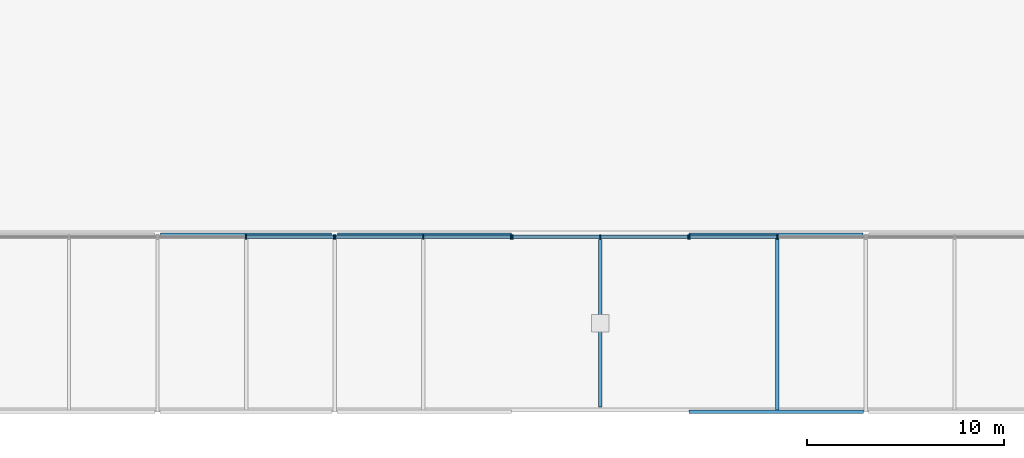
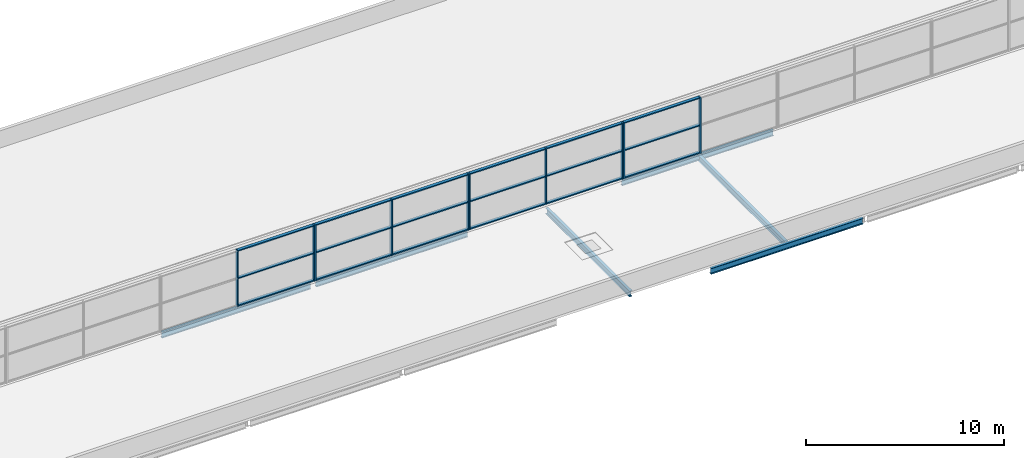
# One storey, part 9 of 50: 28 members, 6 beams, 4 elements without a shape of their own.
"""IFC4 building model written with IfcOpenShell, lengths in metres."""

from ifc_helpers import new_model, si_unit, direction, frame, origin, origin_2d, place, context, subcontext, project, spatial, rectangle, i_section, extrude, material, layer, layer_set, material_profile, profile_set, type_object, element, aggregate, save


model = new_model("IFC4")

# Units and contexts
model_context = context("Model", 3, precision=1e-05, world=origin(), true_north=direction((0.0, 1.0)))
body_context = subcontext(model_context, "Body", "Model", "MODEL_VIEW")
ifc_project = project(units=[si_unit("LENGTHUNIT", "METRE"), si_unit("AREAUNIT", "SQUARE_METRE"), si_unit("VOLUMEUNIT", "CUBIC_METRE"), si_unit("PLANEANGLEUNIT", "RADIAN"), si_unit("MASSUNIT", "GRAM", prefix="KILO")], contexts=[model_context])

# Site, building, storey
site_placement = place(None, origin())
site = spatial("IfcSite", under=ifc_project, at=site_placement, CompositionType="ELEMENT")
building_placement = place(site_placement, origin())
building = spatial("IfcBuilding", under=site, at=building_placement, Name="Corbel Yard City Hall", CompositionType="ELEMENT")
storey_placement = place(building_placement, frame((0.0, 0.0, 15.0)))
storey = spatial("IfcBuildingStorey", under=building, at=storey_placement, Name="L03", CompositionType="ELEMENT", Elevation=15.0)

# Beams
ifc_material_1 = material(Name="Steel Grade 300 (300 MPa yield)", Category="steel")
ifc_material_profile_1 = material_profile(ifc_material_1, i_section(OverallWidth=0.172119140625, OverallDepth=0.35888671875, WebThickness=0.008056640625, FlangeThickness=0.012939453125, at=origin_2d()), Name="360UB56.7")
ifc_profile_set_1 = profile_set([ifc_material_profile_1], Name="Steel Grade 300 (300 MPa yield)")
beam_type_1 = type_object("IfcBeamType", Name="Edge beam 360UB56.7", PredefinedType="BEAM", material=ifc_profile_set_1)
beam_1_placement = place(storey_placement, frame((90.0, 0.0, -0.32958984375), z_axis=(1.0, 0.0, 0.0), x_axis=(0.0, 1.0, 0.0)))
element("IfcBeam", 1, at=beam_1_placement, inside=storey, type_object=beam_type_1, Name="Edge beam 360UB56.7 EB4 L03roof", PredefinedType="BEAM", context=body_context, shape_type="SweptSolid", body=[
    extrude(i_section(OverallWidth=0.172119140625, OverallDepth=0.35888671875, WebThickness=0.008056640625, FlangeThickness=0.012939453125, at=origin_2d()), origin(), (0.0, 0.0, 1.0), 8.873046875),
])
beam_2_placement = place(storey_placement, frame((63.154052734375, 9.0, -0.32958984375), z_axis=(1.0, 0.0, 0.0), x_axis=(0.0, 1.0, 0.0)))
element("IfcBeam", 2, at=beam_2_placement, inside=storey, type_object=beam_type_1, Name="Edge beam 360UB56.7 EB4 L03roof", PredefinedType="BEAM", context=body_context, shape_type="SweptSolid", body=[
    extrude(i_section(OverallWidth=0.172119140625, OverallDepth=0.35888671875, WebThickness=0.008056640625, FlangeThickness=0.012939453125, at=origin_2d()), origin(), (0.0, 0.0, 1.0), 8.69189453125),
])
for number, where, z_axis, x_axis, name in (
    (3, (72.154052734375, 9.0, -0.32958984375), (1.0, 0.0, 0.0), (0.0, 1.0, 0.0), "Edge beam 360UB56.7 EB4 L03roof"),
    (4, (90.0, 9.0, -0.32958984375), (1.0, 0.0, 0.0), (0.0, 1.0, 0.0), "Edge beam 360UB56.7 EB4 L03roof"),
):
    element("IfcBeam", number, at=place(storey_placement, frame(where, z_axis=z_axis, x_axis=x_axis)), inside=storey, type_object=beam_type_1, Name=name, PredefinedType="BEAM", context=body_context, shape_type="SweptSolid", body=[
        extrude(i_section(OverallWidth=0.172119140625, OverallDepth=0.35888671875, WebThickness=0.008056640625, FlangeThickness=0.012939453125, at=origin_2d()), origin(), (0.0, 0.0, 1.0), 8.845947265625),
    ])

# Curtain wall, members
ifc_material_2 = material(Name="Aluminium extrusion", Category="aluminium")
ifc_layer = layer(ifc_material_2, 0.219970703125)
ifc_layer_set = layer_set([ifc_layer], Name="Aluminium extrusion")
curtain_wall_type = type_object("IfcCurtainWallType", Name="CW5", PredefinedType="USERDEFINED", material=ifc_layer_set)
curtain_wall_1_placement = place(storey_placement, origin())
curtain_wall_1 = element("IfcCurtainWall", 5, at=curtain_wall_1_placement, inside=storey, type_object=curtain_wall_type, Name="Hall south clerestory curtain wall", ObjectType="CURTAIN WALL", PredefinedType="USERDEFINED")
ifc_material_profile_2 = material_profile(ifc_material_2, rectangle(XDim=0.219970703125, YDim=0.06494140625, at=origin_2d()), Name="220x65")
ifc_profile_set_2 = profile_set([ifc_material_profile_2], Name="Aluminium extrusion")
member_type_1 = type_object("IfcMemberType", Name="ML5", PredefinedType="MULLION", material=ifc_profile_set_2)
member_1_placement = place(storey_placement, frame((67.5, 8.889892578125, 0.0), z_axis=(0.0, 0.0, 1.0), x_axis=(0.0, 1.0, 0.0)))
member_1 = element("IfcMember", 6, at=member_1_placement, type_object=member_type_1, Name="CW5 mullion 2", PredefinedType="MULLION", context=body_context, shape_type="SweptSolid", body=[
    extrude(rectangle(XDim=0.219970703125, YDim=0.06494140625, at=origin_2d()), origin(), (0.0, 0.0, 1.0), 3.449951171875),
])
member_2_placement = place(storey_placement, frame((71.967529296875, 8.889892578125, 0.0), z_axis=(0.0, 0.0, 1.0), x_axis=(0.0, 1.0, 0.0)))
member_2 = element("IfcMember", 7, at=member_2_placement, type_object=member_type_1, Name="CW5 mullion 3", PredefinedType="MULLION", context=body_context, shape_type="SweptSolid", body=[
    extrude(rectangle(XDim=0.219970703125, YDim=0.06494140625, at=origin_2d()), origin(), (0.0, 0.0, 1.0), 3.449951171875),
])

curtain_wall_2_placement = place(storey_placement, origin())
curtain_wall_2 = element("IfcCurtainWall", 8, at=curtain_wall_2_placement, inside=storey, type_object=curtain_wall_type, Name="Hall south clerestory curtain wall", ObjectType="CURTAIN WALL", PredefinedType="USERDEFINED")
member_3_placement = place(storey_placement, frame((72.032470703125, 8.889892578125, 0.0), z_axis=(0.0, 0.0, 1.0), x_axis=(0.0, 1.0, 0.0)))
member_3 = element("IfcMember", 9, at=member_3_placement, type_object=member_type_1, Name="CW5 mullion 1", PredefinedType="MULLION", context=body_context, shape_type="SweptSolid", body=[
    extrude(rectangle(XDim=0.219970703125, YDim=0.06494140625, at=origin_2d()), origin(), (0.0, 0.0, 1.0), 3.449951171875),
])
member_4_placement = place(storey_placement, frame((76.5, 8.889892578125, 0.0), z_axis=(0.0, 0.0, 1.0), x_axis=(0.0, 1.0, 0.0)))
member_4 = element("IfcMember", 10, at=member_4_placement, type_object=member_type_1, Name="CW5 mullion 2", PredefinedType="MULLION", context=body_context, shape_type="SweptSolid", body=[
    extrude(rectangle(XDim=0.219970703125, YDim=0.06494140625, at=origin_2d()), origin(), (0.0, 0.0, 1.0), 3.449951171875),
])
member_5_placement = place(storey_placement, frame((80.967529296875, 8.889892578125, 0.0), z_axis=(0.0, 0.0, 1.0), x_axis=(0.0, 1.0, 0.0)))
member_5 = element("IfcMember", 11, at=member_5_placement, type_object=member_type_1, Name="CW5 mullion 3", PredefinedType="MULLION", context=body_context, shape_type="SweptSolid", body=[
    extrude(rectangle(XDim=0.219970703125, YDim=0.06494140625, at=origin_2d()), origin(), (0.0, 0.0, 1.0), 3.449951171875),
])

curtain_wall_3_placement = place(storey_placement, origin())
curtain_wall_3 = element("IfcCurtainWall", 12, at=curtain_wall_3_placement, inside=storey, type_object=curtain_wall_type, Name="Hall south clerestory curtain wall", ObjectType="CURTAIN WALL", PredefinedType="USERDEFINED")
member_6_placement = place(storey_placement, frame((81.032470703125, 8.889892578125, 0.0), z_axis=(0.0, 0.0, 1.0), x_axis=(0.0, 1.0, 0.0)))
member_6 = element("IfcMember", 13, at=member_6_placement, type_object=member_type_1, Name="CW5 mullion 1", PredefinedType="MULLION", context=body_context, shape_type="SweptSolid", body=[
    extrude(rectangle(XDim=0.219970703125, YDim=0.06494140625, at=origin_2d()), origin(), (0.0, 0.0, 1.0), 3.449951171875),
])
member_7_placement = place(storey_placement, frame((85.5, 8.889892578125, 0.0), z_axis=(0.0, 0.0, 1.0), x_axis=(0.0, 1.0, 0.0)))
member_7 = element("IfcMember", 14, at=member_7_placement, type_object=member_type_1, Name="CW5 mullion 2", PredefinedType="MULLION", context=body_context, shape_type="SweptSolid", body=[
    extrude(rectangle(XDim=0.219970703125, YDim=0.06494140625, at=origin_2d()), origin(), (0.0, 0.0, 1.0), 3.449951171875),
])
member_8_placement = place(storey_placement, frame((89.967529296875, 8.889892578125, 0.0), z_axis=(0.0, 0.0, 1.0), x_axis=(0.0, 1.0, 0.0)))
member_8 = element("IfcMember", 15, at=member_8_placement, type_object=member_type_1, Name="CW5 mullion 3", PredefinedType="MULLION", context=body_context, shape_type="SweptSolid", body=[
    extrude(rectangle(XDim=0.219970703125, YDim=0.06494140625, at=origin_2d()), origin(), (0.0, 0.0, 1.0), 3.449951171875),
])

curtain_wall_4_placement = place(storey_placement, origin())
curtain_wall_4 = element("IfcCurtainWall", 16, at=curtain_wall_4_placement, inside=storey, type_object=curtain_wall_type, Name="Hall south clerestory curtain wall", ObjectType="CURTAIN WALL", PredefinedType="USERDEFINED")
member_9_placement = place(storey_placement, frame((90.032470703125, 8.889892578125, 0.0), z_axis=(0.0, 0.0, 1.0), x_axis=(0.0, 1.0, 0.0)))
member_9 = element("IfcMember", 17, at=member_9_placement, type_object=member_type_1, Name="CW5 mullion 1", PredefinedType="MULLION", context=body_context, shape_type="SweptSolid", body=[
    extrude(rectangle(XDim=0.219970703125, YDim=0.06494140625, at=origin_2d()), origin(), (0.0, 0.0, 1.0), 3.449951171875),
])
member_10_placement = place(storey_placement, frame((94.5, 8.889892578125, 0.0), z_axis=(0.0, 0.0, 1.0), x_axis=(0.0, 1.0, 0.0)))
member_10 = element("IfcMember", 18, at=member_10_placement, type_object=member_type_1, Name="CW5 mullion 2", PredefinedType="MULLION", context=body_context, shape_type="SweptSolid", body=[
    extrude(rectangle(XDim=0.219970703125, YDim=0.06494140625, at=origin_2d()), origin(), (0.0, 0.0, 1.0), 3.449951171875),
])

# Beams
ifc_material_profile_3 = material_profile(ifc_material_1, i_section(OverallWidth=0.1708984375, OverallDepth=0.35205078125, WebThickness=0.0068359375, FlangeThickness=0.009765625, at=origin_2d()), Name="360UB44.7")
ifc_profile_set_3 = profile_set([ifc_material_profile_3], Name="Steel Grade 300 (300 MPa yield)")
beam_type_2 = type_object("IfcBeamType", Name="Secondary beam 360UB44.7", PredefinedType="JOIST", material=ifc_profile_set_3)
beam_3_placement = place(storey_placement, frame((94.5, 0.0859375, -0.325927734375), z_axis=(0.0, 1.0, 0.0), x_axis=(-1.0, 0.0, 0.0)))
element("IfcBeam", 19, at=beam_3_placement, inside=storey, type_object=beam_type_2, Name="Secondary beam 360UB44.7 SB11 L03roof", PredefinedType="JOIST", context=body_context, shape_type="SweptSolid", body=[
    extrude(i_section(OverallWidth=0.1708984375, OverallDepth=0.35205078125, WebThickness=0.0068359375, FlangeThickness=0.009765625, at=origin_2d()), origin(), (0.0, 0.0, 1.0), 8.828125),
])
beam_4_placement = place(storey_placement, frame((85.5, 0.25, -0.325927734375), z_axis=(0.0, 1.0, 0.0), x_axis=(-1.0, 0.0, 0.0)))
element("IfcBeam", 20, at=beam_4_placement, inside=storey, type_object=beam_type_2, Name="Core roof beam 360UB44.7 SB11 PC-S2", PredefinedType="JOIST", context=body_context, shape_type="SweptSolid", body=[
    extrude(i_section(OverallWidth=0.1708984375, OverallDepth=0.35205078125, WebThickness=0.0068359375, FlangeThickness=0.009765625, at=origin_2d()), origin(), (0.0, 0.0, 1.0), 8.5),
])

# Member
ifc_material_profile_4 = material_profile(ifc_material_2, rectangle(XDim=0.179931640625, YDim=0.06494140625, at=origin_2d()), Name="180x65")
ifc_profile_set_4 = profile_set([ifc_material_profile_4], Name="Aluminium extrusion")
member_type_2 = type_object("IfcMemberType", Name="TR5", PredefinedType="USERDEFINED", material=ifc_profile_set_4)
member_11_placement = place(storey_placement, frame((67.532470703125, 8.889892578125, 0.032470703125), z_axis=(1.0, 0.0, 0.0), x_axis=(0.0, 1.0, 0.0)))
member_11 = element("IfcMember", 21, at=member_11_placement, type_object=member_type_2, Name="CW5 transom 2.1", ObjectType="TRANSOM", PredefinedType="USERDEFINED", context=body_context, shape_type="SweptSolid", body=[
    extrude(rectangle(XDim=0.179931640625, YDim=0.06494140625, at=origin_2d()), origin(), (0.0, 0.0, 1.0), 4.402587890625),
])

member_12_placement = place(storey_placement, frame((67.532470703125, 8.889892578125, 1.72509765625), z_axis=(1.0, 0.0, 0.0), x_axis=(0.0, 1.0, 0.0)))
member_12 = element("IfcMember", 22, at=member_12_placement, type_object=member_type_2, Name="CW5 transom 2.2", ObjectType="TRANSOM", PredefinedType="USERDEFINED", context=body_context, shape_type="SweptSolid", body=[
    extrude(rectangle(XDim=0.179931640625, YDim=0.06494140625, at=origin_2d()), origin(), (0.0, 0.0, 1.0), 4.402587890625),
])

member_13_placement = place(storey_placement, frame((67.532470703125, 8.889892578125, 3.41748046875), z_axis=(1.0, 0.0, 0.0), x_axis=(0.0, 1.0, 0.0)))
member_13 = element("IfcMember", 23, at=member_13_placement, type_object=member_type_2, Name="CW5 transom 2.3", ObjectType="TRANSOM", PredefinedType="USERDEFINED", context=body_context, shape_type="SweptSolid", body=[
    extrude(rectangle(XDim=0.179931640625, YDim=0.06494140625, at=origin_2d()), origin(), (0.0, 0.0, 1.0), 4.402587890625),
])

aggregate(curtain_wall_1, [member_1, member_2, member_11, member_12, member_13])

member_14_placement = place(storey_placement, frame((72.06494140625, 8.889892578125, 0.032470703125), z_axis=(1.0, 0.0, 0.0), x_axis=(0.0, 1.0, 0.0)))
member_14 = element("IfcMember", 24, at=member_14_placement, type_object=member_type_2, Name="CW5 transom 1.1", ObjectType="TRANSOM", PredefinedType="USERDEFINED", context=body_context, shape_type="SweptSolid", body=[
    extrude(rectangle(XDim=0.179931640625, YDim=0.06494140625, at=origin_2d()), origin(), (0.0, 0.0, 1.0), 4.402587890625),
])

member_15_placement = place(storey_placement, frame((72.06494140625, 8.889892578125, 1.72509765625), z_axis=(1.0, 0.0, 0.0), x_axis=(0.0, 1.0, 0.0)))
member_15 = element("IfcMember", 25, at=member_15_placement, type_object=member_type_2, Name="CW5 transom 1.2", ObjectType="TRANSOM", PredefinedType="USERDEFINED", context=body_context, shape_type="SweptSolid", body=[
    extrude(rectangle(XDim=0.179931640625, YDim=0.06494140625, at=origin_2d()), origin(), (0.0, 0.0, 1.0), 4.402587890625),
])

member_16_placement = place(storey_placement, frame((72.06494140625, 8.889892578125, 3.41748046875), z_axis=(1.0, 0.0, 0.0), x_axis=(0.0, 1.0, 0.0)))
member_16 = element("IfcMember", 26, at=member_16_placement, type_object=member_type_2, Name="CW5 transom 1.3", ObjectType="TRANSOM", PredefinedType="USERDEFINED", context=body_context, shape_type="SweptSolid", body=[
    extrude(rectangle(XDim=0.179931640625, YDim=0.06494140625, at=origin_2d()), origin(), (0.0, 0.0, 1.0), 4.402587890625),
])

member_17_placement = place(storey_placement, frame((76.532470703125, 8.889892578125, 0.032470703125), z_axis=(1.0, 0.0, 0.0), x_axis=(0.0, 1.0, 0.0)))
member_17 = element("IfcMember", 27, at=member_17_placement, type_object=member_type_2, Name="CW5 transom 2.1", ObjectType="TRANSOM", PredefinedType="USERDEFINED", context=body_context, shape_type="SweptSolid", body=[
    extrude(rectangle(XDim=0.179931640625, YDim=0.06494140625, at=origin_2d()), origin(), (0.0, 0.0, 1.0), 4.402587890625),
])

member_18_placement = place(storey_placement, frame((76.532470703125, 8.889892578125, 1.72509765625), z_axis=(1.0, 0.0, 0.0), x_axis=(0.0, 1.0, 0.0)))
member_18 = element("IfcMember", 28, at=member_18_placement, type_object=member_type_2, Name="CW5 transom 2.2", ObjectType="TRANSOM", PredefinedType="USERDEFINED", context=body_context, shape_type="SweptSolid", body=[
    extrude(rectangle(XDim=0.179931640625, YDim=0.06494140625, at=origin_2d()), origin(), (0.0, 0.0, 1.0), 4.402587890625),
])

member_19_placement = place(storey_placement, frame((76.532470703125, 8.889892578125, 3.41748046875), z_axis=(1.0, 0.0, 0.0), x_axis=(0.0, 1.0, 0.0)))
member_19 = element("IfcMember", 29, at=member_19_placement, type_object=member_type_2, Name="CW5 transom 2.3", ObjectType="TRANSOM", PredefinedType="USERDEFINED", context=body_context, shape_type="SweptSolid", body=[
    extrude(rectangle(XDim=0.179931640625, YDim=0.06494140625, at=origin_2d()), origin(), (0.0, 0.0, 1.0), 4.402587890625),
])

aggregate(curtain_wall_2, [member_3, member_4, member_5, member_14, member_15, member_16, member_17, member_18, member_19])

member_20_placement = place(storey_placement, frame((81.06494140625, 8.889892578125, 0.032470703125), z_axis=(1.0, 0.0, 0.0), x_axis=(0.0, 1.0, 0.0)))
member_20 = element("IfcMember", 30, at=member_20_placement, type_object=member_type_2, Name="CW5 transom 1.1", ObjectType="TRANSOM", PredefinedType="USERDEFINED", context=body_context, shape_type="SweptSolid", body=[
    extrude(rectangle(XDim=0.179931640625, YDim=0.06494140625, at=origin_2d()), origin(), (0.0, 0.0, 1.0), 4.402587890625),
])

member_21_placement = place(storey_placement, frame((81.06494140625, 8.889892578125, 1.72509765625), z_axis=(1.0, 0.0, 0.0), x_axis=(0.0, 1.0, 0.0)))
member_21 = element("IfcMember", 31, at=member_21_placement, type_object=member_type_2, Name="CW5 transom 1.2", ObjectType="TRANSOM", PredefinedType="USERDEFINED", context=body_context, shape_type="SweptSolid", body=[
    extrude(rectangle(XDim=0.179931640625, YDim=0.06494140625, at=origin_2d()), origin(), (0.0, 0.0, 1.0), 4.402587890625),
])

member_22_placement = place(storey_placement, frame((81.06494140625, 8.889892578125, 3.41748046875), z_axis=(1.0, 0.0, 0.0), x_axis=(0.0, 1.0, 0.0)))
member_22 = element("IfcMember", 32, at=member_22_placement, type_object=member_type_2, Name="CW5 transom 1.3", ObjectType="TRANSOM", PredefinedType="USERDEFINED", context=body_context, shape_type="SweptSolid", body=[
    extrude(rectangle(XDim=0.179931640625, YDim=0.06494140625, at=origin_2d()), origin(), (0.0, 0.0, 1.0), 4.402587890625),
])

member_23_placement = place(storey_placement, frame((85.532470703125, 8.889892578125, 0.032470703125), z_axis=(1.0, 0.0, 0.0), x_axis=(0.0, 1.0, 0.0)))
member_23 = element("IfcMember", 33, at=member_23_placement, type_object=member_type_2, Name="CW5 transom 2.1", ObjectType="TRANSOM", PredefinedType="USERDEFINED", context=body_context, shape_type="SweptSolid", body=[
    extrude(rectangle(XDim=0.179931640625, YDim=0.06494140625, at=origin_2d()), origin(), (0.0, 0.0, 1.0), 4.402587890625),
])

member_24_placement = place(storey_placement, frame((85.532470703125, 8.889892578125, 1.72509765625), z_axis=(1.0, 0.0, 0.0), x_axis=(0.0, 1.0, 0.0)))
member_24 = element("IfcMember", 34, at=member_24_placement, type_object=member_type_2, Name="CW5 transom 2.2", ObjectType="TRANSOM", PredefinedType="USERDEFINED", context=body_context, shape_type="SweptSolid", body=[
    extrude(rectangle(XDim=0.179931640625, YDim=0.06494140625, at=origin_2d()), origin(), (0.0, 0.0, 1.0), 4.402587890625),
])

member_25_placement = place(storey_placement, frame((85.532470703125, 8.889892578125, 3.41748046875), z_axis=(1.0, 0.0, 0.0), x_axis=(0.0, 1.0, 0.0)))
member_25 = element("IfcMember", 35, at=member_25_placement, type_object=member_type_2, Name="CW5 transom 2.3", ObjectType="TRANSOM", PredefinedType="USERDEFINED", context=body_context, shape_type="SweptSolid", body=[
    extrude(rectangle(XDim=0.179931640625, YDim=0.06494140625, at=origin_2d()), origin(), (0.0, 0.0, 1.0), 4.402587890625),
])

aggregate(curtain_wall_3, [member_6, member_7, member_8, member_20, member_21, member_22, member_23, member_24, member_25])

member_26_placement = place(storey_placement, frame((90.06494140625, 8.889892578125, 0.032470703125), z_axis=(1.0, 0.0, 0.0), x_axis=(0.0, 1.0, 0.0)))
member_26 = element("IfcMember", 36, at=member_26_placement, type_object=member_type_2, Name="CW5 transom 1.1", ObjectType="TRANSOM", PredefinedType="USERDEFINED", context=body_context, shape_type="SweptSolid", body=[
    extrude(rectangle(XDim=0.179931640625, YDim=0.06494140625, at=origin_2d()), origin(), (0.0, 0.0, 1.0), 4.402587890625),
])

member_27_placement = place(storey_placement, frame((90.06494140625, 8.889892578125, 1.72509765625), z_axis=(1.0, 0.0, 0.0), x_axis=(0.0, 1.0, 0.0)))
member_27 = element("IfcMember", 37, at=member_27_placement, type_object=member_type_2, Name="CW5 transom 1.2", ObjectType="TRANSOM", PredefinedType="USERDEFINED", context=body_context, shape_type="SweptSolid", body=[
    extrude(rectangle(XDim=0.179931640625, YDim=0.06494140625, at=origin_2d()), origin(), (0.0, 0.0, 1.0), 4.402587890625),
])

member_28_placement = place(storey_placement, frame((90.06494140625, 8.889892578125, 3.41748046875), z_axis=(1.0, 0.0, 0.0), x_axis=(0.0, 1.0, 0.0)))
member_28 = element("IfcMember", 38, at=member_28_placement, type_object=member_type_2, Name="CW5 transom 1.3", ObjectType="TRANSOM", PredefinedType="USERDEFINED", context=body_context, shape_type="SweptSolid", body=[
    extrude(rectangle(XDim=0.179931640625, YDim=0.06494140625, at=origin_2d()), origin(), (0.0, 0.0, 1.0), 4.402587890625),
])

aggregate(curtain_wall_4, [member_9, member_10, member_26, member_27, member_28])

save(model, "model.ifc")
